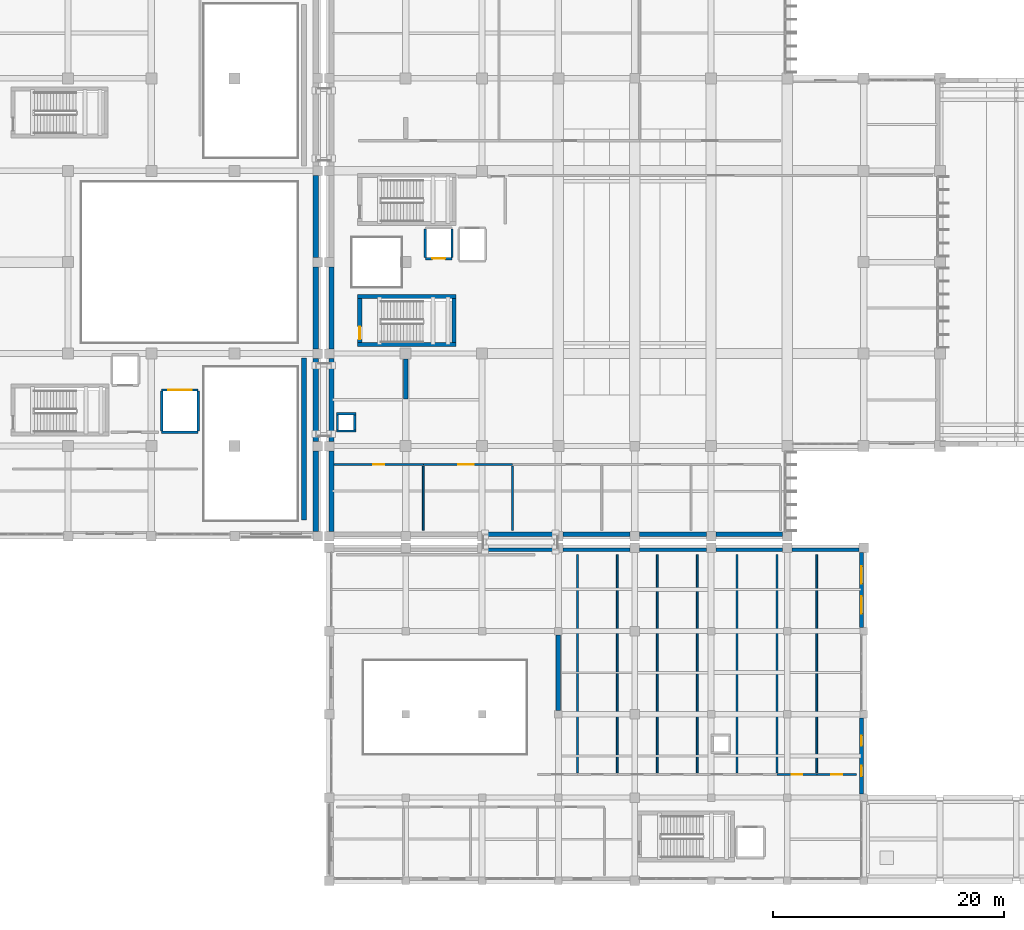
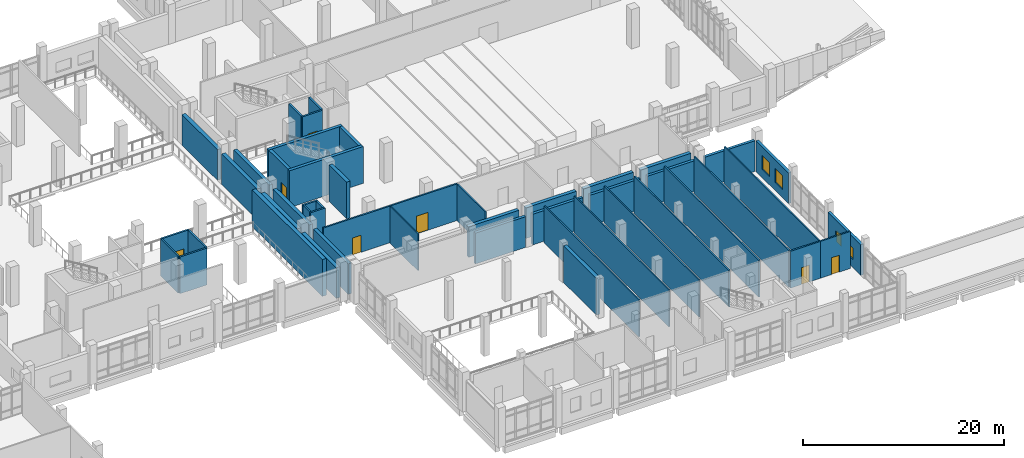
# One storey, part 66 of 90: 49 walls, 7 doors, 4 windows, 11 openings.
"""IFC4 building model written with IfcOpenShell, lengths in metres."""

from ifc_helpers import new_model, si_unit, direction, frame, frame_2d, origin, place, context, subcontext, project, spatial, rectangle, extrude, material, layer, layer_set, type_object, element, fill, save


model = new_model("IFC4")

# Units and contexts
model_context = context("Model", 3, precision=1e-05, world=origin(), true_north=direction((0.0, 1.0)))
body_context = subcontext(model_context, "Body", "Model", "MODEL_VIEW")
ifc_project = project(units=[si_unit("LENGTHUNIT", "METRE"), si_unit("AREAUNIT", "SQUARE_METRE"), si_unit("VOLUMEUNIT", "CUBIC_METRE"), si_unit("PLANEANGLEUNIT", "RADIAN"), si_unit("MASSUNIT", "GRAM", prefix="KILO")], contexts=[model_context])

# Site, building, storey
site_placement = place(None, origin())
site = spatial("IfcSite", under=ifc_project, at=site_placement, CompositionType="ELEMENT")
building_placement = place(site_placement, origin())
building = spatial("IfcBuilding", under=site, at=building_placement, Name="Kelarvand Opera House", CompositionType="ELEMENT")
storey_placement = place(building_placement, frame((0.0, 0.0, 5.39990234375)))
storey = spatial("IfcBuildingStorey", under=building, at=storey_placement, Name="L01", CompositionType="ELEMENT", Elevation=5.39990234375)

# Walls
ifc_material_1 = material(Name="Concrete C35/45", Category="concrete")
ifc_layer_1 = layer(ifc_material_1, 0.39990234375, Name="Concrete C35/45", Category="concrete")
ifc_layer_set_1 = layer_set([ifc_layer_1], Name="Concrete C35/45")
wall_type_1 = type_object("IfcWallType", Name="Acoustic Brick-Travertine Double Wall 400", PredefinedType="SOLIDWALL", material=ifc_layer_set_1)
for number, where, z_axis, x_axis, name in (
    (1, (128.18994140625, 38.97998046875, 0.0), (0.0, 0.0, 1.0), (-1.0, 0.0, 0.0), "V1 L01 Exterior Wall EW-400 (83)"),
    (2, (121.590087890625, 38.97998046875, 0.0), (0.0, 0.0, 1.0), (-1.0, 0.0, 0.0), "V1 L01 Exterior Wall EW-400 (84)"),
    (3, (114.989990234375, 38.97998046875, 0.0), (0.0, 0.0, 1.0), (-1.0, 0.0, 0.0), "V1 L01 Exterior Wall EW-400 (85)"),
):
    element("IfcWall", number, at=place(storey_placement, frame(where, z_axis=z_axis, x_axis=x_axis)), inside=storey, type_object=wall_type_1, Name=name, PredefinedType="SOLIDWALL", context=body_context, shape_type="SweptSolid", body=[
        extrude(rectangle(XDim=5.780029296875, YDim=0.39990234375, at=frame_2d((2.89013671875, 0.0))), origin(), (0.0, 0.0, 1.0), 3.72216796875),
    ])
wall_1_placement = place(storey_placement, frame((108.389892578125, 38.97998046875, 0.0), z_axis=(0.0, 0.0, 1.0), x_axis=(-1.0, 0.0, 0.0)))
element("IfcWall", 4, at=wall_1_placement, inside=storey, type_object=wall_type_1, Name="V1 L01 Exterior Wall EW-400 (86)", PredefinedType="SOLIDWALL", context=body_context, shape_type="SweptSolid", body=[
    extrude(rectangle(XDim=5.77978515625, YDim=0.39990234375, at=frame_2d((2.889892578125, 0.0))), origin(), (0.0, 0.0, 1.0), 3.72216796875),
])
wall_2_placement = place(storey_placement, frame((89.179931640625, 39.2099609375, 0.0), z_axis=(0.0, 0.0, 1.0), x_axis=(0.0, 1.0, 0.0)))
element("IfcWall", 5, at=wall_2_placement, inside=storey, type_object=wall_type_1, Name="V1 L01 Exterior Wall EW-400 (89)", PredefinedType="SOLIDWALL", context=body_context, shape_type="SweptSolid", body=[
    extrude(rectangle(XDim=6.97998046875, YDim=0.39990234375, at=frame_2d((3.489990234375, 0.0))), origin(), (0.0, 0.0, 1.0), 3.72216796875),
])
wall_3_placement = place(storey_placement, frame((89.179931640625, 47.010009765625, 0.0), z_axis=(0.0, 0.0, 1.0), x_axis=(0.0, 1.0, 0.0)))
element("IfcWall", 6, at=wall_3_placement, inside=storey, type_object=wall_type_1, Name="V1 L01 Exterior Wall EW-400 (90)", PredefinedType="SOLIDWALL", context=body_context, shape_type="SweptSolid", body=[
    extrude(rectangle(XDim=7.179931640625, YDim=0.39990234375, at=frame_2d((3.58984375, 0.0))), origin(), (0.0, 0.0, 1.0), 3.72216796875),
])
wall_4_placement = place(storey_placement, frame((89.179931640625, 55.010009765625, 0.0), z_axis=(0.0, 0.0, 1.0), x_axis=(0.0, 1.0, 0.0)))
element("IfcWall", 7, at=wall_4_placement, inside=storey, type_object=wall_type_1, Name="V1 L01 Exterior Wall EW-400 (91)", PredefinedType="SOLIDWALL", context=body_context, shape_type="SweptSolid", body=[
    extrude(rectangle(XDim=7.080078125, YDim=0.39990234375, at=frame_2d((3.5400390625, 0.0))), origin(), (0.0, 0.0, 1.0), 3.72216796875),
])
ifc_material_2 = material(Name="Concrete C40/50", Category="concrete")
ifc_layer_2 = layer(ifc_material_2, 0.449951171875, Name="Concrete C40/50", Category="concrete")
ifc_layer_set_2 = layer_set([ifc_layer_2], Name="Concrete C40/50")
wall_type_2 = type_object("IfcWallType", Name="Acoustic Proscenium Shear Wall 450", PredefinedType="SHEAR", material=ifc_layer_set_2)
wall_5_placement = place(storey_placement, frame((86.800048828125, 40.199951171875, 0.0), z_axis=(0.0, 0.0, 1.0), x_axis=(0.0, 1.0, 0.0)))
element("IfcWall", 8, at=wall_5_placement, inside=storey, type_object=wall_type_2, Name="V2 Shear Wall PW-120 L01", PredefinedType="SHEAR", context=body_context, shape_type="SweptSolid", body=[
    extrude(rectangle(XDim=14.0, YDim=0.449951171875, at=frame_2d((7.0, 0.0))), origin(), (0.0, 0.0, 1.0), 4.47998046875),
])
ifc_material_3 = material(Name="Acoustic double-stud gypsum partition")
ifc_layer_3 = layer(ifc_material_3, 0.14990234375, Name="Acoustic double-stud gypsum partition")
ifc_layer_set_3 = layer_set([ifc_layer_3], Name="Acoustic double-stud gypsum partition")
wall_type_3 = type_object("IfcWallType", Name="Acoustic Room Partition Wall 150", PredefinedType="PARTITIONING", material=ifc_layer_set_3)
for number, where, z_axis, x_axis, name in (
    (9, (97.1201171875, 39.300048828125, 0.0), (0.0, 0.0, 1.0), (0.0, 1.0, 0.0), "V1 L01 Partition Wall IW-150 (367)"),
    (10, (104.840087890625, 39.300048828125, 0.0), (0.0, 0.0, 1.0), (0.0, 1.0, 0.0), "V1 L01 Partition Wall IW-150 (369)"),
):
    element("IfcWall", number, at=place(storey_placement, frame(where, z_axis=z_axis, x_axis=x_axis)), inside=storey, type_object=wall_type_3, Name=name, PredefinedType="PARTITIONING", context=body_context, shape_type="SweptSolid", body=[
        extrude(rectangle(XDim=5.56005859375, YDim=0.14990234375, at=frame_2d((2.780029296875, 0.0))), origin(), (0.0, 0.0, 1.0), 4.47216796875),
    ])
for number, where, z_axis, x_axis, name in (
    (11, (110.449951171875, 18.340087890625, 0.0), (0.0, 0.0, 1.0), (0.0, 1.0, 0.0), "V6 L01 Partition Wall IW-150 (426)"),
    (12, (113.89990234375, 18.340087890625, 0.0), (0.0, 0.0, 1.0), (0.0, 1.0, 0.0), "V6 L01 Partition Wall IW-150 (428)"),
    (13, (117.35009765625, 18.340087890625, 0.0), (0.0, 0.0, 1.0), (0.0, 1.0, 0.0), "V6 L01 Partition Wall IW-150 (430)"),
    (14, (120.800048828125, 18.340087890625, 0.0), (0.0, 0.0, 1.0), (0.0, 1.0, 0.0), "V6 L01 Partition Wall IW-150 (432)"),
    (15, (124.25, 18.340087890625, 0.0), (0.0, 0.0, 1.0), (0.0, 1.0, 0.0), "V6 L01 Partition Wall IW-150 (434)"),
    (16, (127.699951171875, 18.340087890625, 0.0), (0.0, 0.0, 1.0), (0.0, 1.0, 0.0), "V6 L01 Partition Wall IW-150 (436)"),
    (17, (131.14990234375, 18.340087890625, 0.0), (0.0, 0.0, 1.0), (0.0, 1.0, 0.0), "V6 L01 Partition Wall IW-150 (438)"),
):
    element("IfcWall", number, at=place(storey_placement, frame(where, z_axis=z_axis, x_axis=x_axis)), inside=storey, type_object=wall_type_3, Name=name, PredefinedType="PARTITIONING", context=body_context, shape_type="SweptSolid", body=[
        extrude(rectangle(XDim=18.85986328125, YDim=0.14990234375, at=frame_2d((9.429931640625, 0.0))), origin(), (0.0, 0.0, 1.0), 4.4921875),
    ])
ifc_layer_4 = layer(ifc_material_2, 0.35009765625, Name="Concrete C40/50", Category="concrete")
ifc_layer_set_4 = layer_set([ifc_layer_4], Name="Concrete C40/50")
wall_type_4 = type_object("IfcWallType", Name="Core Stair and Lift Shear Wall 350", PredefinedType="SHEAR", material=ifc_layer_set_4)
for number, where, z_axis, x_axis, name in (
    (18, (91.449951171875, 55.375, 0.0), (0.0, 0.0, 1.0), (1.0, 0.0, 0.0), "C4 Stair Core Shear Wall S L01"),
    (19, (99.949951171875, 59.52490234375, 0.0), (0.0, 0.0, 1.0), (-1.0, 0.0, 0.0), "C4 Stair Core Shear Wall N L01"),
):
    element("IfcWall", number, at=place(storey_placement, frame(where, z_axis=z_axis, x_axis=x_axis)), inside=storey, type_object=wall_type_4, Name=name, PredefinedType="SHEAR", context=body_context, shape_type="SweptSolid", body=[
        extrude(rectangle(XDim=8.5, YDim=0.35009765625, at=frame_2d((4.25, 0.0))), origin(), (0.0, 0.0, 1.0), 4.47998046875),
    ])

# Wall, opening, door
wall_6_placement = place(storey_placement, frame((91.625, 55.550048828125, 0.0), z_axis=(0.0, 0.0, 1.0), x_axis=(0.0, 1.0, 0.0)))
wall_6 = element("IfcWall", 20, at=wall_6_placement, inside=storey, type_object=wall_type_4, Name="C4 Stair Core Shear Wall W L01", PredefinedType="SHEAR", context=body_context, shape_type="SweptSolid", body=[
    extrude(rectangle(XDim=3.800048828125, YDim=0.35009765625, at=frame_2d((1.89990234375, 0.0))), origin(), (0.0, 0.0, 1.0), 4.47998046875),
])
opening_1_placement = place(wall_6_placement, frame((0.280029296875, 0.0, 0.0)))
opening_1 = element("IfcOpeningElement", 21, at=opening_1_placement, cuts=wall_6, Name="Opening FD-01", PredefinedType="OPENING", context=body_context, shape_type="SweptSolid", body=[
    extrude(rectangle(XDim=1.10009765625, YDim=2.080078125, at=frame_2d((0.550048828125, 1.0400390625))), frame((0.0, 0.18505859375, 0.0), z_axis=(0.0, -1.0, 0.0), x_axis=(1.0, 0.0, 0.0)), (0.0, 0.0, 1.0), 0.3701171875),
])
ifc_material_4 = material(Name="Fire-rated brushed stainless steel", Category="steel")
door_type_1 = type_object("IfcDoorType", Name="Steel Fire-Rated Stair and FF Lobby Door 1100x2080", OperationType="NOTDEFINED", PredefinedType="DOOR", material=ifc_material_4)
door_1_placement = place(opening_1_placement, origin())
door_1 = element("IfcDoor", 22, at=door_1_placement, inside=storey, type_object=door_type_1, Name="C4 Stair ST-04 Fire Door L01", OperationType="SINGLE_SWING_RIGHT", OverallHeight=2.080078125, OverallWidth=1.10009765625, PredefinedType="DOOR", context=body_context, shape_type="SweptSolid", body=[
    extrude(rectangle(XDim=1.10009765625, YDim=2.080078125, at=frame_2d((0.550048828125, 1.0400390625))), frame((0.0, 0.02490234375, 0.0), z_axis=(0.0, -1.0, 0.0), x_axis=(1.0, 0.0, 0.0)), (0.0, 0.0, 1.0), 0.050048828125),
])
fill(opening_1, door_1)

# Wall
wall_7_placement = place(storey_placement, frame((99.77490234375, 59.35009765625, 0.0), z_axis=(0.0, 0.0, 1.0), x_axis=(0.0, -1.0, 0.0)))
element("IfcWall", 23, at=wall_7_placement, inside=storey, type_object=wall_type_4, Name="C4 Stair Core Shear Wall E L01", PredefinedType="SHEAR", context=body_context, shape_type="SweptSolid", body=[
    extrude(rectangle(XDim=3.800048828125, YDim=0.35009765625, at=frame_2d((1.89990234375, 0.0))), origin(), (0.0, 0.0, 1.0), 4.47998046875),
])

# Wall, opening, door
ifc_layer_5 = layer(ifc_material_1, 0.179931640625, Name="Concrete C35/45", Category="concrete")
ifc_layer_set_5 = layer_set([ifc_layer_5], Name="Concrete C35/45")
wall_type_5 = type_object("IfcWallType", Name="Corridor Fire-Rated Partition Wall 180 EI90", PredefinedType="PARTITIONING", material=ifc_layer_set_5)
wall_8_placement = place(storey_placement, frame((89.39990234375, 45.0, 0.0), z_axis=(0.0, 0.0, 1.0), x_axis=(1.0, 0.0, 0.0)))
wall_8 = element("IfcWall", 24, at=wall_8_placement, inside=storey, type_object=wall_type_5, Name="V1 L01 Partition Wall IW-90 (366)", PredefinedType="PARTITIONING", context=body_context, shape_type="SweptSolid", body=[
    extrude(rectangle(XDim=7.72021484375, YDim=0.179931640625, at=frame_2d((3.860107421875, 0.0))), origin(), (0.0, 0.0, 1.0), 4.47216796875),
])
opening_2_placement = place(wall_8_placement, frame((3.3701171875, 0.0, 0.0)))
opening_2 = element("IfcOpeningElement", 25, at=opening_2_placement, cuts=wall_8, Name="Opening D-09", PredefinedType="OPENING", context=body_context, shape_type="SweptSolid", body=[
    extrude(rectangle(XDim=0.97998046875, YDim=2.080078125, at=frame_2d((0.489990234375, 1.0400390625))), frame((0.0, 0.10009765625, 0.0), z_axis=(0.0, -1.0, 0.0), x_axis=(1.0, 0.0, 0.0)), (0.0, 0.0, 1.0), 0.199951171875),
])
ifc_material_5 = material(Name="Acoustic walnut-veneered hardwood", Category="wood")
door_type_2 = type_object("IfcDoorType", Name="Soloist Acoustic Timber Door 980x2080", OperationType="NOTDEFINED", PredefinedType="DOOR", material=ifc_material_5)
door_2_placement = place(opening_2_placement, origin())
door_2 = element("IfcDoor", 26, at=door_2_placement, inside=storey, type_object=door_type_2, Name="V1 L01 Door D-09 (157)", OperationType="SINGLE_SWING_LEFT", OverallHeight=2.080078125, OverallWidth=0.97998046875, PredefinedType="DOOR", context=body_context, shape_type="SweptSolid", body=[
    extrude(rectangle(XDim=0.97998046875, YDim=2.080078125, at=frame_2d((0.489990234375, 1.0400390625))), frame((0.0, 0.02490234375, 0.0), z_axis=(0.0, -1.0, 0.0), x_axis=(1.0, 0.0, 0.0)), (0.0, 0.0, 1.0), 0.050048828125),
])
fill(opening_2, door_2)

wall_9_placement = place(storey_placement, frame((97.1201171875, 45.0, 0.0), z_axis=(0.0, 0.0, 1.0), x_axis=(1.0, 0.0, 0.0)))
wall_9 = element("IfcWall", 27, at=wall_9_placement, inside=storey, type_object=wall_type_5, Name="V1 L01 Partition Wall IW-90 (368)", PredefinedType="PARTITIONING", context=body_context, shape_type="SweptSolid", body=[
    extrude(rectangle(XDim=7.719970703125, YDim=0.179931640625, at=frame_2d((3.85986328125, 0.0))), origin(), (0.0, 0.0, 1.0), 4.47216796875),
])
opening_3_placement = place(wall_9_placement, frame((3.001953125, 0.0, 0.0)))
opening_3 = element("IfcOpeningElement", 28, at=opening_3_placement, cuts=wall_9, Name="Opening D-12", PredefinedType="OPENING", context=body_context, shape_type="SweptSolid", body=[
    extrude(rectangle(XDim=1.35009765625, YDim=2.159912109375, at=frame_2d((0.675048828125, 1.080078125))), frame((0.0, 0.10009765625, 0.0), z_axis=(0.0, -1.0, 0.0), x_axis=(1.0, 0.0, 0.0)), (0.0, 0.0, 1.0), 0.199951171875),
])
door_type_3 = type_object("IfcDoorType", Name="Wardrobe Studio Leaf-and-Half Door 1350x2160", OperationType="NOTDEFINED", PredefinedType="DOOR", material=ifc_material_5)
door_3_placement = place(opening_3_placement, origin())
door_3 = element("IfcDoor", 29, at=door_3_placement, inside=storey, type_object=door_type_3, Name="V1 L01 Door D-12 (158)", OperationType="SINGLE_SWING_RIGHT", OverallHeight=2.159912109375, OverallWidth=1.35009765625, PredefinedType="DOOR", context=body_context, shape_type="SweptSolid", body=[
    extrude(rectangle(XDim=1.35009765625, YDim=2.159912109375, at=frame_2d((0.675048828125, 1.080078125))), frame((0.0, 0.02490234375, 0.0), z_axis=(0.0, -1.0, 0.0), x_axis=(1.0, 0.0, 0.0)), (0.0, 0.0, 1.0), 0.050048828125),
])
fill(opening_3, door_3)

wall_10_placement = place(storey_placement, frame((127.699951171875, 18.199951171875, 0.0), z_axis=(0.0, 0.0, 1.0), x_axis=(1.0, 0.0, 0.0)))
wall_10 = element("IfcWall", 30, at=wall_10_placement, inside=storey, type_object=wall_type_5, Name="V6 L01 Partition Wall IW-90 (437)", PredefinedType="PARTITIONING", context=body_context, shape_type="SweptSolid", body=[
    extrude(rectangle(XDim=3.449951171875, YDim=0.179931640625, at=frame_2d((1.72509765625, 0.0))), origin(), (0.0, 0.0, 1.0), 4.4921875),
])
opening_4_placement = place(wall_10_placement, frame((1.264892578125, 0.0, 0.0)))
opening_4 = element("IfcOpeningElement", 31, at=opening_4_placement, cuts=wall_10, Name="Opening D-01", PredefinedType="OPENING", context=body_context, shape_type="SweptSolid", body=[
    extrude(rectangle(XDim=0.919921875, YDim=2.050048828125, at=frame_2d((0.4599609375, 1.02490234375))), frame((0.0, 0.10009765625, 0.0), z_axis=(0.0, -1.0, 0.0), x_axis=(1.0, 0.0, 0.0)), (0.0, 0.0, 1.0), 0.199951171875),
])
door_type_4 = type_object("IfcDoorType", Name="Solid Timber Dressing and WC Door 920x2050", OperationType="NOTDEFINED", PredefinedType="DOOR", material=ifc_material_5)
door_4_placement = place(opening_4_placement, origin())
door_4 = element("IfcDoor", 32, at=door_4_placement, inside=storey, type_object=door_type_4, Name="V6 L01 Door D-01 (196)", OperationType="SINGLE_SWING_LEFT", OverallHeight=2.050048828125, OverallWidth=0.919921875, PredefinedType="DOOR", context=body_context, shape_type="SweptSolid", body=[
    extrude(rectangle(XDim=0.919921875, YDim=2.050048828125, at=frame_2d((0.4599609375, 1.02490234375))), frame((0.0, 0.02490234375, 0.0), z_axis=(0.0, -1.0, 0.0), x_axis=(1.0, 0.0, 0.0)), (0.0, 0.0, 1.0), 0.050048828125),
])
fill(opening_4, door_4)

wall_11_placement = place(storey_placement, frame((131.14990234375, 18.199951171875, 0.0), z_axis=(0.0, 0.0, 1.0), x_axis=(1.0, 0.0, 0.0)))
wall_11 = element("IfcWall", 33, at=wall_11_placement, inside=storey, type_object=wall_type_5, Name="V6 L01 Partition Wall IW-90 (439)", PredefinedType="PARTITIONING", context=body_context, shape_type="SweptSolid", body=[
    extrude(rectangle(XDim=3.4501953125, YDim=0.179931640625, at=frame_2d((1.72509765625, 0.0))), origin(), (0.0, 0.0, 1.0), 4.4921875),
])
opening_5_placement = place(wall_11_placement, frame((1.264892578125, 0.0, 0.0)))
opening_5 = element("IfcOpeningElement", 34, at=opening_5_placement, cuts=wall_11, Name="Opening D-01", PredefinedType="OPENING", context=body_context, shape_type="SweptSolid", body=[
    extrude(rectangle(XDim=0.919921875, YDim=2.050048828125, at=frame_2d((0.4599609375, 1.02490234375))), frame((0.0, 0.10009765625, 0.0), z_axis=(0.0, -1.0, 0.0), x_axis=(1.0, 0.0, 0.0)), (0.0, 0.0, 1.0), 0.199951171875),
])
door_5_placement = place(opening_5_placement, origin())
door_5 = element("IfcDoor", 35, at=door_5_placement, inside=storey, type_object=door_type_4, Name="V6 L01 Door D-01 (197)", OperationType="SINGLE_SWING_RIGHT", OverallHeight=2.050048828125, OverallWidth=0.919921875, PredefinedType="DOOR", context=body_context, shape_type="SweptSolid", body=[
    extrude(rectangle(XDim=0.919921875, YDim=2.050048828125, at=frame_2d((0.4599609375, 1.02490234375))), frame((0.0, 0.02490234375, 0.0), z_axis=(0.0, -1.0, 0.0), x_axis=(1.0, 0.0, 0.0)), (0.0, 0.0, 1.0), 0.050048828125),
])
fill(opening_5, door_5)

# Wall, openings, windows
ifc_layer_6 = layer(ifc_material_1, 0.320068359375, Name="Concrete C35/45", Category="concrete")
ifc_layer_set_6 = layer_set([ifc_layer_6], Name="Concrete C35/45")
wall_type_6 = type_object("IfcWallType", Name="Insulated Buff Brick Cavity Wall 320", PredefinedType="SOLIDWALL", material=ifc_layer_set_6)
wall_12_placement = place(storey_placement, frame((135.02001953125, 37.389892578125, 0.0), z_axis=(0.0, 0.0, 1.0), x_axis=(0.0, -1.0, 0.0)))
wall_12 = element("IfcWall", 36, at=wall_12_placement, inside=storey, type_object=wall_type_6, Name="V6 L01 Exterior Wall EW-320 (721)", PredefinedType="SOLIDWALL", context=body_context, shape_type="SweptSolid", body=[
    extrude(rectangle(XDim=6.46484375, YDim=0.320068359375, at=frame_2d((3.232421875, 0.0))), origin(), (0.0, 0.0, 1.0), 3.7421875),
])
opening_6_placement = place(wall_12_placement, frame((1.18896484375, 0.0, 1.0)))
opening_6 = element("IfcOpeningElement", 37, at=opening_6_placement, cuts=wall_12, Name="Opening WN-17", PredefinedType="OPENING", context=body_context, shape_type="SweptSolid", body=[
    extrude(rectangle(XDim=1.5, YDim=1.699951171875, at=frame_2d((0.75, 0.85009765625))), frame((0.0, 0.169921875, 0.0), z_axis=(0.0, -1.0, 0.0), x_axis=(1.0, 0.0, 0.0)), (0.0, 0.0, 1.0), 0.340087890625),
])
opening_7_placement = place(wall_12_placement, frame((3.77490234375, 0.0, 1.0)))
opening_7 = element("IfcOpeningElement", 38, at=opening_7_placement, cuts=wall_12, Name="Opening WN-17", PredefinedType="OPENING", context=body_context, shape_type="SweptSolid", body=[
    extrude(rectangle(XDim=1.5, YDim=1.699951171875, at=frame_2d((0.75, 0.85009765625))), frame((0.0, 0.169921875, 0.0), z_axis=(0.0, -1.0, 0.0), x_axis=(1.0, 0.0, 0.0)), (0.0, 0.0, 1.0), 0.340087890625),
])
ifc_material_6 = material(Name="Thermally broken aluminium and low-E double glazing", Category="aluminium")
window_type_1 = type_object("IfcWindowType", Name="Recessed Aluminium Thermal Window 1500x1700 WN-17", PartitioningType="SINGLE_PANEL", PredefinedType="WINDOW", material=ifc_material_6)
window_1_placement = place(opening_6_placement, origin())
window_1 = element("IfcWindow", 39, at=window_1_placement, inside=storey, type_object=window_type_1, Name="V6 L01 Facade Window WN-17 (327)", OverallHeight=1.699951171875, OverallWidth=1.5, PartitioningType="SINGLE_PANEL", PredefinedType="WINDOW", context=body_context, shape_type="SweptSolid", body=[
    extrude(rectangle(XDim=1.5, YDim=1.699951171875, at=frame_2d((0.75, 0.85009765625))), frame((0.0, 0.030029296875, 0.0), z_axis=(0.0, -1.0, 0.0), x_axis=(1.0, 0.0, 0.0)), (0.0, 0.0, 1.0), 0.06005859375),
])
fill(opening_6, window_1)
window_2_placement = place(opening_7_placement, origin())
window_2 = element("IfcWindow", 40, at=window_2_placement, inside=storey, type_object=window_type_1, Name="V6 L01 Facade Window WN-17 (328)", OverallHeight=1.699951171875, OverallWidth=1.5, PartitioningType="SINGLE_PANEL", PredefinedType="WINDOW", context=body_context, shape_type="SweptSolid", body=[
    extrude(rectangle(XDim=1.5, YDim=1.699951171875, at=frame_2d((0.75, 0.85009765625))), frame((0.0, 0.030029296875, 0.0), z_axis=(0.0, -1.0, 0.0), x_axis=(1.0, 0.0, 0.0)), (0.0, 0.0, 1.0), 0.06005859375),
])
fill(opening_7, window_2)

wall_13_placement = place(storey_placement, frame((135.02001953125, 23.074951171875, 0.0), z_axis=(0.0, 0.0, 1.0), x_axis=(0.0, -1.0, 0.0)))
wall_13 = element("IfcWall", 41, at=wall_13_placement, inside=storey, type_object=wall_type_6, Name="V6 L01 Exterior Wall EW-320 (722)", PredefinedType="SOLIDWALL", context=body_context, shape_type="SweptSolid", body=[
    extrude(rectangle(XDim=6.550048828125, YDim=0.320068359375, at=frame_2d((3.27490234375, 0.0))), origin(), (0.0, 0.0, 1.0), 3.7421875),
])
opening_8_placement = place(wall_13_placement, frame((1.514892578125, 0.0, 1.0)))
opening_8 = element("IfcOpeningElement", 42, at=opening_8_placement, cuts=wall_13, Name="Opening WN-25", PredefinedType="OPENING", context=body_context, shape_type="SweptSolid", body=[
    extrude(rectangle(XDim=0.89990234375, YDim=1.39990234375, at=frame_2d((0.449951171875, 0.699951171875))), frame((0.0, 0.169921875, 0.0), z_axis=(0.0, -1.0, 0.0), x_axis=(1.0, 0.0, 0.0)), (0.0, 0.0, 1.0), 0.340087890625),
])
opening_9_placement = place(wall_13_placement, frame((4.135009765625, 0.0, 1.0)))
opening_9 = element("IfcOpeningElement", 43, at=opening_9_placement, cuts=wall_13, Name="Opening WN-25", PredefinedType="OPENING", context=body_context, shape_type="SweptSolid", body=[
    extrude(rectangle(XDim=0.89990234375, YDim=1.39990234375, at=frame_2d((0.449951171875, 0.699951171875))), frame((0.0, 0.169921875, 0.0), z_axis=(0.0, -1.0, 0.0), x_axis=(1.0, 0.0, 0.0)), (0.0, 0.0, 1.0), 0.340087890625),
])
window_type_2 = type_object("IfcWindowType", Name="Recessed Aluminium Thermal Window 900x1400 WN-25", PartitioningType="SINGLE_PANEL", PredefinedType="WINDOW", material=ifc_material_6)
window_3_placement = place(opening_8_placement, origin())
window_3 = element("IfcWindow", 44, at=window_3_placement, inside=storey, type_object=window_type_2, Name="V6 L01 Facade Window WN-25 (329)", OverallHeight=1.39990234375, OverallWidth=0.89990234375, PartitioningType="SINGLE_PANEL", PredefinedType="WINDOW", context=body_context, shape_type="SweptSolid", body=[
    extrude(rectangle(XDim=0.89990234375, YDim=1.39990234375, at=frame_2d((0.449951171875, 0.699951171875))), frame((0.0, 0.030029296875, 0.0), z_axis=(0.0, -1.0, 0.0), x_axis=(1.0, 0.0, 0.0)), (0.0, 0.0, 1.0), 0.06005859375),
])
fill(opening_8, window_3)
window_4_placement = place(opening_9_placement, origin())
window_4 = element("IfcWindow", 45, at=window_4_placement, inside=storey, type_object=window_type_2, Name="V6 L01 Facade Window WN-25 (330)", OverallHeight=1.39990234375, OverallWidth=0.89990234375, PartitioningType="SINGLE_PANEL", PredefinedType="WINDOW", context=body_context, shape_type="SweptSolid", body=[
    extrude(rectangle(XDim=0.89990234375, YDim=1.39990234375, at=frame_2d((0.449951171875, 0.699951171875))), frame((0.0, 0.030029296875, 0.0), z_axis=(0.0, -1.0, 0.0), x_axis=(1.0, 0.0, 0.0)), (0.0, 0.0, 1.0), 0.06005859375),
])
fill(opening_9, window_4)

# Walls
wall_14_placement = place(storey_placement, frame((102.610107421875, 37.6201171875, 0.0), z_axis=(0.0, 0.0, 1.0), x_axis=(1.0, 0.0, 0.0)))
element("IfcWall", 46, at=wall_14_placement, inside=storey, type_object=wall_type_6, Name="V6 L01 Exterior Wall EW-320 (725)", PredefinedType="SOLIDWALL", context=body_context, shape_type="SweptSolid", body=[
    extrude(rectangle(XDim=5.77978515625, YDim=0.320068359375, at=frame_2d((2.889892578125, 0.0))), origin(), (0.0, 0.0, 1.0), 3.7421875),
])
for number, where, z_axis, x_axis, name in (
    (47, (109.2099609375, 37.6201171875, 0.0), (0.0, 0.0, 1.0), (1.0, 0.0, 0.0), "V6 L01 Exterior Wall EW-320 (726)"),
    (48, (115.81005859375, 37.6201171875, 0.0), (0.0, 0.0, 1.0), (1.0, 0.0, 0.0), "V6 L01 Exterior Wall EW-320 (727)"),
    (49, (122.409912109375, 37.6201171875, 0.0), (0.0, 0.0, 1.0), (1.0, 0.0, 0.0), "V6 L01 Exterior Wall EW-320 (728)"),
    (50, (129.010009765625, 37.6201171875, 0.0), (0.0, 0.0, 1.0), (1.0, 0.0, 0.0), "V6 L01 Exterior Wall EW-320 (729)"),
):
    element("IfcWall", number, at=place(storey_placement, frame(where, z_axis=z_axis, x_axis=x_axis)), inside=storey, type_object=wall_type_6, Name=name, PredefinedType="SOLIDWALL", context=body_context, shape_type="SweptSolid", body=[
        extrude(rectangle(XDim=5.780029296875, YDim=0.320068359375, at=frame_2d((2.89013671875, 0.0))), origin(), (0.0, 0.0, 1.0), 3.7421875),
    ])
ifc_layer_7 = layer(ifc_material_1, 0.199951171875, Name="Concrete C35/45", Category="concrete")
ifc_layer_set_7 = layer_set([ifc_layer_7], Name="Concrete C35/45")
wall_type_7 = type_object("IfcWallType", Name="Lift and Riser Shaft Enclosure Wall 200 EI120", PredefinedType="PARTITIONING", material=ifc_layer_set_7)
for number, where, z_axis, x_axis, name in (
    (51, (89.60009765625, 47.89990234375, 0.0), (0.0, 0.0, 1.0), (1.0, 0.0, 0.0), "RSR-V1 L01 Riser Shaft Wall 13"),
    (52, (91.300048828125, 49.39990234375, 0.0), (0.0, 0.0, 1.0), (-1.0, 0.0, 0.0), "RSR-V1 L01 Riser Shaft Wall 14"),
):
    element("IfcWall", number, at=place(storey_placement, frame(where, z_axis=z_axis, x_axis=x_axis)), inside=storey, type_object=wall_type_7, Name=name, PredefinedType="PARTITIONING", context=body_context, shape_type="SweptSolid", body=[
        extrude(rectangle(XDim=1.699951171875, YDim=0.199951171875, at=frame_2d((0.85009765625, 0.0))), origin(), (0.0, 0.0, 1.0), 4.5),
    ])
for number, where, z_axis, x_axis, name in (
    (53, (89.699951171875, 48.0, 0.0), (0.0, 0.0, 1.0), (0.0, 1.0, 0.0), "RSR-V1 L01 Riser Shaft Wall 15"),
    (54, (91.199951171875, 49.300048828125, 0.0), (0.0, 0.0, 1.0), (0.0, -1.0, 0.0), "RSR-V1 L01 Riser Shaft Wall 16"),
):
    element("IfcWall", number, at=place(storey_placement, frame(where, z_axis=z_axis, x_axis=x_axis)), inside=storey, type_object=wall_type_7, Name=name, PredefinedType="PARTITIONING", context=body_context, shape_type="SweptSolid", body=[
        extrude(rectangle(XDim=1.300048828125, YDim=0.199951171875, at=frame_2d((0.64990234375, 0.0))), origin(), (0.0, 0.0, 1.0), 4.5),
    ])

# Wall, opening, door
wall_15_placement = place(storey_placement, frame((97.300048828125, 62.800048828125, 0.0), z_axis=(0.0, 0.0, 1.0), x_axis=(1.0, 0.0, 0.0)))
wall_15 = element("IfcWall", 55, at=wall_15_placement, inside=storey, type_object=wall_type_7, Name="V1 L01 Partition Wall SW-200 (333)", PredefinedType="PARTITIONING", context=body_context, shape_type="SweptSolid", body=[
    extrude(rectangle(XDim=2.300048828125, YDim=0.199951171875, at=frame_2d((1.14990234375, 0.0))), origin(), (0.0, 0.0, 1.0), 4.47216796875),
])
opening_10_placement = place(wall_15_placement, frame((0.60009765625, 0.0, 0.0)))
opening_10 = element("IfcOpeningElement", 56, at=opening_10_placement, cuts=wall_15, Name="Opening LD-01", PredefinedType="OPENING", context=body_context, shape_type="SweptSolid", body=[
    extrude(rectangle(XDim=1.10009765625, YDim=2.14990234375, at=frame_2d((0.550048828125, 1.074951171875))), frame((0.0, 0.10986328125, 0.0), z_axis=(0.0, -1.0, 0.0), x_axis=(1.0, 0.0, 0.0)), (0.0, 0.0, 1.0), 0.219970703125),
])
door_type_5 = type_object("IfcDoorType", Name="Passenger Lift Sliding Landing Door 1100x2150", OperationType="SLIDING_TO_LEFT", PredefinedType="DOOR", material=ifc_material_4)
door_6_placement = place(opening_10_placement, origin())
door_6 = element("IfcDoor", 57, at=door_6_placement, inside=storey, type_object=door_type_5, Name="V1 L01 Door LD-01 (147)", OperationType="SLIDING_TO_LEFT", OverallHeight=2.14990234375, OverallWidth=1.10009765625, PredefinedType="DOOR", context=body_context, shape_type="SweptSolid", body=[
    extrude(rectangle(XDim=1.10009765625, YDim=2.14990234375, at=frame_2d((0.550048828125, 1.074951171875))), frame((0.0, 0.02490234375, 0.0), z_axis=(0.0, -1.0, 0.0), x_axis=(1.0, 0.0, 0.0)), (0.0, 0.0, 1.0), 0.050048828125),
])
fill(opening_10, door_6)

# Walls
for number, where, z_axis, x_axis, name in (
    (58, (97.300048828125, 62.89990234375, 0.0), (0.0, 0.0, 1.0), (0.0, 1.0, 0.0), "V1 L01 Partition Wall SW-200 (335)"),
    (59, (99.60009765625, 65.35009765625, 0.0), (0.0, 0.0, 1.0), (0.0, -1.0, 0.0), "V1 L01 Partition Wall SW-200 (336)"),
):
    element("IfcWall", number, at=place(storey_placement, frame(where, z_axis=z_axis, x_axis=x_axis)), inside=storey, type_object=wall_type_7, Name=name, PredefinedType="PARTITIONING", context=body_context, shape_type="SweptSolid", body=[
        extrude(rectangle(XDim=2.4501953125, YDim=0.199951171875, at=frame_2d((1.22509765625, 0.0))), origin(), (0.0, 0.0, 1.0), 4.47216796875),
    ])
wall_16_placement = place(storey_placement, frame((74.5, 47.800048828125, 0.0), z_axis=(0.0, 0.0, 1.0), x_axis=(1.0, 0.0, 0.0)))
element("IfcWall", 60, at=wall_16_placement, inside=storey, type_object=wall_type_7, Name="V2 L01 Partition Wall SW-200 (344)", PredefinedType="PARTITIONING", context=body_context, shape_type="SweptSolid", body=[
    extrude(rectangle(XDim=3.14990234375, YDim=0.199951171875, at=frame_2d((1.574951171875, 0.0))), origin(), (0.0, 0.0, 1.0), 4.47216796875),
])

# Wall, opening, door
wall_17_placement = place(storey_placement, frame((77.64990234375, 51.449951171875, 0.0), z_axis=(0.0, 0.0, 1.0), x_axis=(-1.0, 0.0, 0.0)))
wall_17 = element("IfcWall", 61, at=wall_17_placement, inside=storey, type_object=wall_type_7, Name="V2 L01 Partition Wall SW-200 (345)", PredefinedType="PARTITIONING", context=body_context, shape_type="SweptSolid", body=[
    extrude(rectangle(XDim=3.14990234375, YDim=0.199951171875, at=frame_2d((1.574951171875, 0.0))), origin(), (0.0, 0.0, 1.0), 4.47216796875),
])
opening_11_placement = place(wall_17_placement, frame((0.574951171875, 0.0, 0.0)))
opening_11 = element("IfcOpeningElement", 62, at=opening_11_placement, cuts=wall_17, Name="Opening LD-03", PredefinedType="OPENING", context=body_context, shape_type="SweptSolid", body=[
    extrude(rectangle(XDim=2.0, YDim=2.35009765625, at=frame_2d((1.0, 1.175048828125))), frame((0.0, 0.10986328125, 0.0), z_axis=(0.0, -1.0, 0.0), x_axis=(1.0, 0.0, 0.0)), (0.0, 0.0, 1.0), 0.219970703125),
])
door_type_6 = type_object("IfcDoorType", Name="Scenery Goods Lift Sliding Landing Door 2000x2350", OperationType="SLIDING_TO_LEFT", PredefinedType="DOOR", material=ifc_material_4)
door_7_placement = place(opening_11_placement, origin())
door_7 = element("IfcDoor", 63, at=door_7_placement, inside=storey, type_object=door_type_6, Name="V2 L01 Door LD-03 (150)", OperationType="SLIDING_TO_LEFT", OverallHeight=2.35009765625, OverallWidth=2.0, PredefinedType="DOOR", context=body_context, shape_type="SweptSolid", body=[
    extrude(rectangle(XDim=2.0, YDim=2.35009765625, at=frame_2d((1.0, 1.175048828125))), frame((0.0, 0.02490234375, 0.0), z_axis=(0.0, -1.0, 0.0), x_axis=(1.0, 0.0, 0.0)), (0.0, 0.0, 1.0), 0.050048828125),
])
fill(opening_11, door_7)

# Walls
for number, where, z_axis, x_axis, name in (
    (64, (74.5, 47.89990234375, 0.0), (0.0, 0.0, 1.0), (0.0, 1.0, 0.0), "V2 L01 Partition Wall SW-200 (346)"),
    (65, (77.64990234375, 51.35009765625, 0.0), (0.0, 0.0, 1.0), (0.0, -1.0, 0.0), "V2 L01 Partition Wall SW-200 (347)"),
):
    element("IfcWall", number, at=place(storey_placement, frame(where, z_axis=z_axis, x_axis=x_axis)), inside=storey, type_object=wall_type_7, Name=name, PredefinedType="PARTITIONING", context=body_context, shape_type="SweptSolid", body=[
        extrude(rectangle(XDim=3.4501953125, YDim=0.199951171875, at=frame_2d((1.72509765625, 0.0))), origin(), (0.0, 0.0, 1.0), 4.47216796875),
    ])
ifc_layer_8 = layer(ifc_material_2, 0.39990234375, Name="Concrete C40/50", Category="concrete")
ifc_layer_set_8 = layer_set([ifc_layer_8], Name="Concrete C40/50")
wall_type_8 = type_object("IfcWallType", Name="Seismic Compartment Shear Wall 400", PredefinedType="SHEAR", material=ifc_layer_set_8)
wall_18_placement = place(storey_placement, frame((95.60009765625, 50.64990234375, 0.0), z_axis=(0.0, 0.0, 1.0), x_axis=(0.0, 1.0, 0.0)))
element("IfcWall", 66, at=wall_18_placement, inside=storey, type_object=wall_type_8, Name="V1 Shear Wall CW-120 L01", PredefinedType="SHEAR", context=body_context, shape_type="SweptSolid", body=[
    extrude(rectangle(XDim=3.47509765625, YDim=0.39990234375, at=frame_2d((1.737548828125, 0.0))), origin(), (0.0, 0.0, 1.0), 4.47998046875),
])
wall_19_placement = place(storey_placement, frame((108.800048828125, 23.72509765625, 0.0), z_axis=(0.0, 0.0, 1.0), x_axis=(0.0, 1.0, 0.0)))
element("IfcWall", 67, at=wall_19_placement, inside=storey, type_object=wall_type_8, Name="V6 Shear Wall CW-120 L01", PredefinedType="SHEAR", context=body_context, shape_type="SweptSolid", body=[
    extrude(rectangle(XDim=6.5498046875, YDim=0.39990234375, at=frame_2d((3.27490234375, 0.0))), origin(), (0.0, 0.0, 1.0), 4.47998046875),
])
ifc_layer_9 = layer(ifc_material_1, 0.43994140625, Name="Concrete C35/45", Category="concrete")
ifc_layer_set_9 = layer_set([ifc_layer_9], Name="Concrete C35/45")
wall_type_9 = type_object("IfcWallType", Name="Stage House Acoustic Cavity Wall 440", PredefinedType="SOLIDWALL", material=ifc_layer_set_9)
for number, where, z_axis, x_axis, name in (
    (68, (87.820068359375, 69.989990234375, 0.0), (0.0, 0.0, 1.0), (0.0, -1.0, 0.0), "V2 L01 Exterior Wall EW-440 (242)"),
    (69, (87.820068359375, 62.090087890625, 0.0), (0.0, 0.0, 1.0), (0.0, -1.0, 0.0), "V2 L01 Exterior Wall EW-440 (243)"),
):
    element("IfcWall", number, at=place(storey_placement, frame(where, z_axis=z_axis, x_axis=x_axis)), inside=storey, type_object=wall_type_9, Name=name, PredefinedType="SOLIDWALL", context=body_context, shape_type="SweptSolid", body=[
        extrude(rectangle(XDim=7.080078125, YDim=0.43994140625, at=frame_2d((3.5400390625, 0.0))), origin(), (0.0, 0.0, 1.0), 3.72216796875),
    ])
wall_20_placement = place(storey_placement, frame((87.820068359375, 54.18994140625, 0.0), z_axis=(0.0, 0.0, 1.0), x_axis=(0.0, -1.0, 0.0)))
element("IfcWall", 70, at=wall_20_placement, inside=storey, type_object=wall_type_9, Name="V2 L01 Exterior Wall EW-440 (244)", PredefinedType="SOLIDWALL", context=body_context, shape_type="SweptSolid", body=[
    extrude(rectangle(XDim=7.179931640625, YDim=0.43994140625, at=frame_2d((3.58984375, 0.0))), origin(), (0.0, 0.0, 1.0), 3.72216796875),
])
wall_21_placement = place(storey_placement, frame((87.820068359375, 46.18994140625, 0.0), z_axis=(0.0, 0.0, 1.0), x_axis=(0.0, -1.0, 0.0)))
element("IfcWall", 71, at=wall_21_placement, inside=storey, type_object=wall_type_9, Name="V2 L01 Exterior Wall EW-440 (245)", PredefinedType="SOLIDWALL", context=body_context, shape_type="SweptSolid", body=[
    extrude(rectangle(XDim=6.97998046875, YDim=0.43994140625, at=frame_2d((3.489990234375, 0.0))), origin(), (0.0, 0.0, 1.0), 3.72216796875),
])

save(model, "model.ifc")
